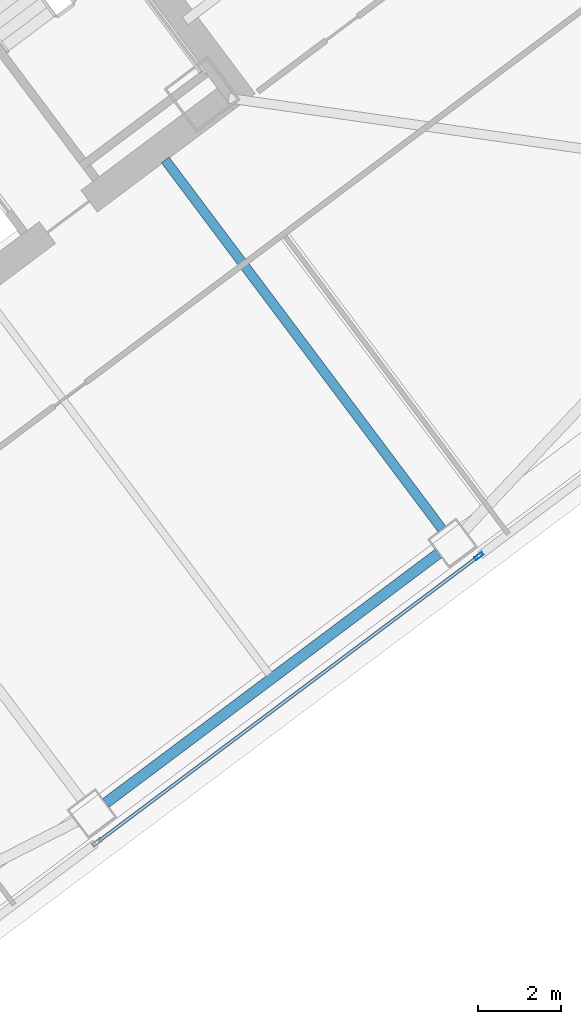
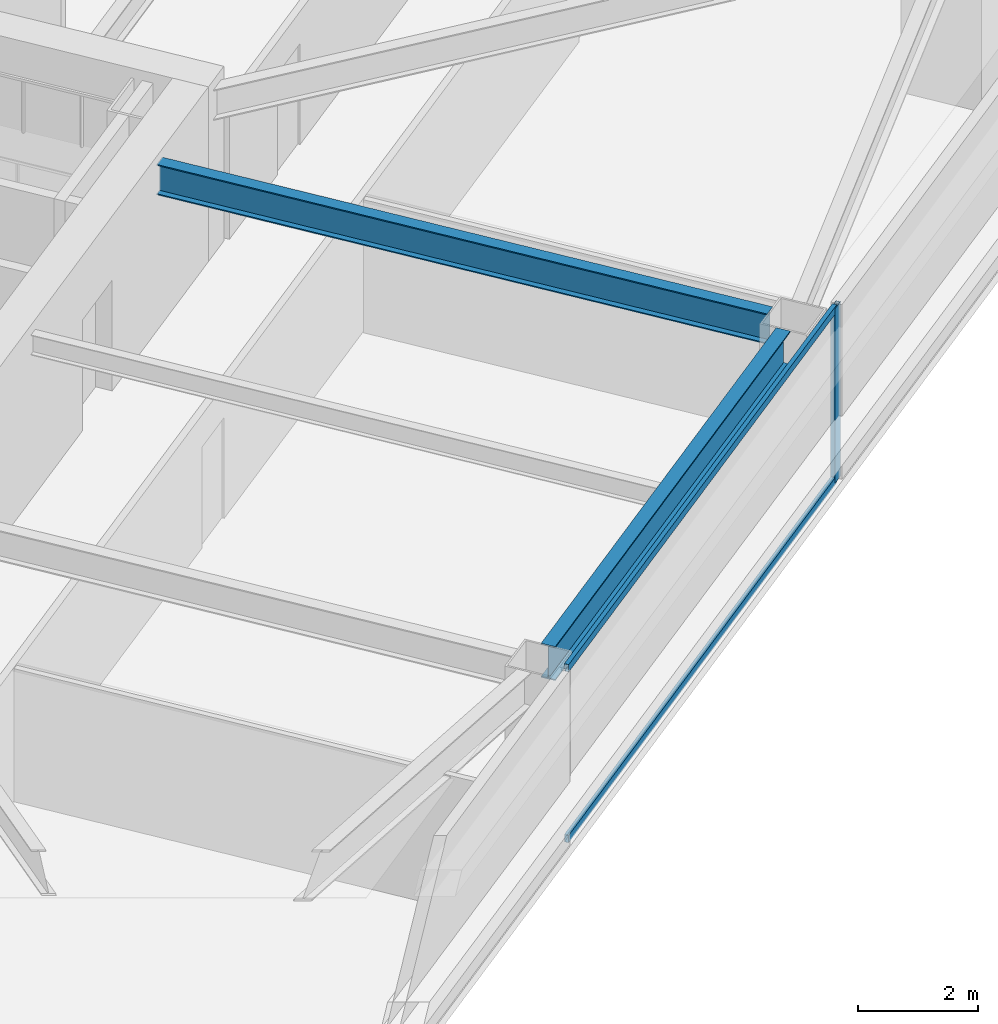
# One storey, part 22 of 44: 3 members, 2 beams, 1 element without a shape of its own.
"""IFC4 building model written with IfcOpenShell, lengths in metres."""

import ifcopenshell
import ifcopenshell.guid

model = None  # the IFC model being written
_history = None  # IfcOwnerHistory: only IFC2X3 demands one
_inside = {}  # id of a spatial element -> (the spatial element, [elements in it])
_under = {}  # id of a project, library or spatial element -> (it, [spatial elements below it])
_declared = {}  # id of a project -> (the project, [libraries it declares])
_typed = {}  # id of a type object -> (the type object, [elements of that type])
_made_of = {}  # id of a material, layer set ... -> (it, [elements and type objects made of it])


def new_model(schema):
    """Start an empty IFC model of exactly this schema.

    Asked for "IFC4X3", IfcOpenShell would pick the latest addendum, in which some entities
    have other attributes; the version numbers below select the first issue.
    IFC2X3 requires an IfcOwnerHistory on every rooted entity: one is made here for all.
    """
    global model, _history
    if schema == "IFC4X3":
        model = ifcopenshell.file(schema_version=(4, 3, 0, 0))
    else:
        model = ifcopenshell.file(schema=schema)
    _inside.clear()
    _under.clear()
    _declared.clear()
    _typed.clear()
    _made_of.clear()
    _history = None
    if model.schema == "IFC2X3":
        org = make("IfcOrganization", Name="unknown")
        user = make(
            "IfcPersonAndOrganization",
            ThePerson=make("IfcPerson", FamilyName="unknown"),
            TheOrganization=org,
        )
        app = make(
            "IfcApplication",
            ApplicationDeveloper=org,
            Version="unknown",
            ApplicationFullName="unknown",
            ApplicationIdentifier="unknown",
        )
        _history = make(
            "IfcOwnerHistory",
            OwningUser=user,
            OwningApplication=app,
            ChangeAction="ADDED",
            CreationDate=0,
        )
    return model


def make(cls, **values):
    """One entity of the class cls with the attributes given. An attribute that is None is left unset."""
    return model.create_entity(
        cls, **{name: value for name, value in values.items() if value is not None}
    )


def rooted(cls, **values):
    """An entity with a GlobalId (a new one), such as an element, a storey or a relation."""
    return make(cls, GlobalId=ifcopenshell.guid.new(), OwnerHistory=_history, **values)


def si_unit(unit_type, name, prefix=None):
    """IfcSIUnit, for example si_unit("LENGTHUNIT", "METRE", prefix="MILLI")."""
    return make("IfcSIUnit", UnitType=unit_type, Prefix=prefix, Name=name)


def assignment(units):
    """IfcUnitAssignment: the units of a project."""
    return None if units is None else make("IfcUnitAssignment", Units=units)


def point(xyz):
    """IfcCartesianPoint."""
    return None if xyz is None else make("IfcCartesianPoint", Coordinates=xyz)


def direction(xyz):
    """IfcDirection."""
    return None if xyz is None else make("IfcDirection", DirectionRatios=xyz)


def frame(location, z_axis=None, x_axis=None):
    """IfcAxis2Placement3D, a coordinate frame: its origin and axes. An axis left out is left unset."""
    return make(
        "IfcAxis2Placement3D",
        Location=point(location),
        Axis=direction(z_axis),
        RefDirection=direction(x_axis),
    )


def frame_2d(location, x_axis=None):
    """IfcAxis2Placement2D, a coordinate frame in the plane: its origin and x axis."""
    return make(
        "IfcAxis2Placement2D", Location=point(location), RefDirection=direction(x_axis)
    )


def origin():
    """The frame at (0, 0, 0) with its axes left unset."""
    return frame((0.0, 0.0, 0.0))


def origin_2d():
    """The frame at (0, 0) in the plane with its x axis left unset."""
    return frame_2d((0.0, 0.0))


def place(relative_to, where):
    """IfcLocalPlacement: puts the frame where relative to a parent placement (None: the world)."""
    return make(
        "IfcLocalPlacement", PlacementRelTo=relative_to, RelativePlacement=where
    )


def context(
    kind, dimensions, precision=None, world=None, true_north=None, identifier=None
):
    """IfcGeometricRepresentationContext, for example the 3D "Model" context."""
    return make(
        "IfcGeometricRepresentationContext",
        ContextIdentifier=identifier,
        ContextType=kind,
        CoordinateSpaceDimension=dimensions,
        Precision=precision,
        WorldCoordinateSystem=world,
        TrueNorth=true_north,
    )


def subcontext(parent, identifier, kind, view, scale=None):
    """IfcGeometricRepresentationSubContext, for example "Body" below "Model"."""
    return make(
        "IfcGeometricRepresentationSubContext",
        ContextIdentifier=identifier,
        ContextType=kind,
        ParentContext=parent,
        TargetScale=scale,
        TargetView=view,
    )


def project(units=None, contexts=None):
    """IfcProject with its units and contexts."""
    return rooted(
        "IfcProject",
        Name="project",
        RepresentationContexts=contexts,
        UnitsInContext=assignment(units),
    )


def spatial(cls, under=None, at=None, **own):
    """A site, building, storey or space (cls), placed at a placement, below another one or the project."""
    s = rooted(cls, ObjectPlacement=at, **own)
    if under is not None:
        _under.setdefault(under.id(), (under, []))[1].append(s)
    return s


def profile(cls, at=None, kind="AREA", **sizes):
    """A parametric profile (cls). Its sizes go by their IFC names, for example OverallWidth=200.0."""
    return make(cls, ProfileType=kind, Position=at, **sizes)


def hollow_rectangle(**sizes):
    """IfcRectangleHollowProfileDef."""
    return profile("IfcRectangleHollowProfileDef", **sizes)


def i_section(**sizes):
    """IfcIShapeProfileDef."""
    return profile("IfcIShapeProfileDef", **sizes)


def extrude(swept, where, along, depth):
    """IfcExtrudedAreaSolid: the profile swept, set in the frame where, extruded along a direction by depth."""
    return make(
        "IfcExtrudedAreaSolid",
        SweptArea=swept,
        Position=where,
        ExtrudedDirection=direction(along),
        Depth=depth,
    )


def shape(context_of_items, identifier, shape_type, items):
    """IfcShapeRepresentation: the items that make up one representation, for example the "Body"."""
    return make(
        "IfcShapeRepresentation",
        ContextOfItems=context_of_items,
        RepresentationIdentifier=identifier,
        RepresentationType=shape_type,
        Items=items,
    )


def material(Name=None, Category=None):
    """IfcMaterial."""
    return make("IfcMaterial", Name=Name, Category=Category)


def material_profile(
    of_material, cross_section, Name=None, Category=None, Priority=None
):
    """IfcMaterialProfile: a cross section and its material."""
    return make(
        "IfcMaterialProfile",
        Name=Name,
        Material=of_material,
        Profile=cross_section,
        Priority=Priority,
        Category=Category,
    )


def profile_set(profiles, Name=None, composite=None):
    """IfcMaterialProfileSet."""
    return make(
        "IfcMaterialProfileSet",
        Name=Name,
        MaterialProfiles=profiles,
        CompositeProfile=composite,
    )


def made_of(thing, what):
    """Note that an element or type object is made of a material, layer set ...; save() writes the relation."""
    if what is not None:
        _made_of.setdefault(what.id(), (what, []))[1].append(thing)
    return thing


def type_object(cls, material=None, **own):
    """A type object (cls), such as IfcWallType, which elements share."""
    return made_of(rooted(cls, **own), material)


def element(
    cls,
    number,
    at=None,
    inside=None,
    cuts=None,
    type_object=None,
    material=None,
    context=None,
    identifier="Body",
    shape_type=None,
    held_by="IfcProductDefinitionShape",
    body=None,
    shapes=None,
    **own,
):
    """One element of the class cls, such as IfcWall. Its Tag is "e" and its number.

    at: its placement. inside: the storey or other place that contains it. cuts: it is an
    opening in that element (IfcRelVoidsElement). A single representation is given by context,
    identifier, shape_type and body (its items); several are given by shapes. held_by: the class
    of the entity that holds the representations. save() writes the other relations.
    """
    e = rooted(cls, Tag="e%d" % number, ObjectPlacement=at, **own)
    if body is not None:
        shapes = [shape(context, identifier, shape_type, body)]
    if shapes is not None:
        e.Representation = make(held_by, Representations=shapes)
    if inside is not None:
        _inside.setdefault(inside.id(), (inside, []))[1].append(e)
    if cuts is not None:
        rooted(
            "IfcRelVoidsElement", RelatingBuildingElement=cuts, RelatedOpeningElement=e
        )
    if type_object is not None:
        _typed.setdefault(type_object.id(), (type_object, []))[1].append(e)
    return made_of(e, material)


def aggregate(whole, parts):
    """IfcRelAggregates: a whole, such as a stair, and the parts it consists of."""
    return rooted("IfcRelAggregates", RelatingObject=whole, RelatedObjects=parts)


def save(model, path):
    """Write the relations noted so far, then the file.

    IfcRelAggregates (storeys below a building ...), IfcRelContainedInSpatialStructure (elements
    in a storey), IfcRelDefinesByType, IfcRelAssociatesMaterial and IfcRelDeclares: one each for
    every whole, place, type object, material and project.
    """
    for whole, parts in _under.values():
        aggregate(whole, parts)
    for where, things in _inside.values():
        rooted(
            "IfcRelContainedInSpatialStructure",
            RelatedElements=things,
            RelatingStructure=where,
        )
    for kind, things in _typed.values():
        rooted("IfcRelDefinesByType", RelatedObjects=things, RelatingType=kind)
    for what, things in _made_of.values():
        rooted("IfcRelAssociatesMaterial", RelatedObjects=things, RelatingMaterial=what)
    for by, libraries in _declared.values():
        rooted("IfcRelDeclares", RelatingContext=by, RelatedDefinitions=libraries)
    model.write(path)


model = new_model("IFC4")

# Units and contexts
model_context = context("Model", 3, precision=1e-05, world=origin(), true_north=direction((0.0, 1.0)))
body_context = subcontext(model_context, "Body", "Model", "MODEL_VIEW")
ifc_project = project(units=[si_unit("LENGTHUNIT", "METRE"), si_unit("AREAUNIT", "SQUARE_METRE"), si_unit("VOLUMEUNIT", "CUBIC_METRE"), si_unit("PLANEANGLEUNIT", "RADIAN"), si_unit("MASSUNIT", "GRAM", prefix="KILO")], contexts=[model_context])

# Site, building, storey
site_placement = place(None, origin())
site = spatial("IfcSite", under=ifc_project, at=site_placement, CompositionType="ELEMENT")
building_placement = place(site_placement, origin())
building = spatial("IfcBuilding", under=site, at=building_placement, Name="Tashvorn Skyway Center", CompositionType="ELEMENT")
storey_placement = place(building_placement, frame((0.0, 0.0, 84.949951171875)))
storey = spatial("IfcBuildingStorey", under=building, at=storey_placement, Name="L22", CompositionType="ELEMENT", Elevation=84.949951171875)

# Beams
ifc_material_1 = material(Name="Steel ASTM A992 Grade 50", Category="steel")
ifc_material_profile_1 = material_profile(ifc_material_1, i_section(OverallWidth=0.22998046875, OverallDepth=0.616943359375, WebThickness=0.01318359375, FlangeThickness=0.022216796875, at=origin_2d()), Name="W24X94")
ifc_profile_set_1 = profile_set([ifc_material_profile_1], Name="Steel ASTM A992 Grade 50")
beam_type_1 = type_object("IfcBeamType", Name="BM-BEAM-W24X94", PredefinedType="BEAM", material=ifc_profile_set_1)
beam_1_placement = place(storey_placement, frame((129.617919921875, 20.176025390625, 3.04150390625), z_axis=(-0.599989394744, 0.800007953832, 0.0), x_axis=(-0.800007953832, -0.599989394744, 0.0)))
element("IfcBeam", 1, at=beam_1_placement, inside=storey, type_object=beam_type_1, Name="Tower 2 L22 Primary Floor Girder FC-S2", PredefinedType="BEAM", context=body_context, shape_type="SweptSolid", body=[
    extrude(i_section(OverallWidth=0.22998046875, OverallDepth=0.616943359375, WebThickness=0.01318359375, FlangeThickness=0.022216796875, at=origin_2d()), origin(), (0.0, 0.0, 1.0), 11.050048828125),
])
ifc_material_profile_2 = material_profile(ifc_material_1, i_section(OverallWidth=0.256103515625, OverallDepth=0.693115234375, WebThickness=0.014404296875, FlangeThickness=0.023681640625, at=origin_2d()), Name="W27X114")
ifc_profile_set_2 = profile_set([ifc_material_profile_2], Name="Steel ASTM A992 Grade 50")
beam_type_2 = type_object("IfcBeamType", Name="BM-SPANDREL-W27X114", PredefinedType="SPANDREL", material=ifc_profile_set_2)
beam_2_placement = place(storey_placement, frame((121.56591796875, 13.612060546875, 3.003662109375), z_axis=(0.800008824351, 0.599988234018, 0.0), x_axis=(-0.599988234018, 0.800008824351, 0.0)))
element("IfcBeam", 2, at=beam_2_placement, inside=storey, type_object=beam_type_2, Name="Tower 2 L22 Spandrel Beam 02", PredefinedType="SPANDREL", context=body_context, shape_type="SweptSolid", body=[
    extrude(i_section(OverallWidth=0.256103515625, OverallDepth=0.693115234375, WebThickness=0.014404296875, FlangeThickness=0.023681640625, at=origin_2d()), origin(), (0.0, 0.0, 1.0), 9.9599609375),
])

# Curtain wall, members
ifc_material_2 = material(Name="Thermally broken bronze-anodized aluminium 6063-T6", Category="aluminium")
curtain_wall_type = type_object("IfcCurtainWallType", Name="CW-CW-Z2", PredefinedType="NOTDEFINED", material=ifc_material_2)
curtain_wall_placement = place(storey_placement, origin())
curtain_wall = element("IfcCurtainWall", 3, at=curtain_wall_placement, inside=storey, type_object=curtain_wall_type, Name="Tower 2 L22 South Unitised Curtain Wall Glazing Group 2", PredefinedType="NOTDEFINED")
ifc_material_profile_3 = material_profile(ifc_material_2, hollow_rectangle(XDim=0.080078125, YDim=0.219970703125, WallThickness=0.0048828125, at=origin_2d()), Name="ALU-MULL-80x220")
ifc_profile_set_3 = profile_set([ifc_material_profile_3], Name="Thermally broken bronze-anodized aluminium 6063-T6")
member_type_1 = type_object("IfcMemberType", Name="CWM-CW-Z2", PredefinedType="MULLION", material=ifc_profile_set_3)
member_1_placement = place(storey_placement, frame((130.50390625, 19.528076171875, 0.0), z_axis=(0.0, 0.0, 1.0), x_axis=(0.600000000002, -0.799999999998, 0.0)))
member_1 = element("IfcMember", 4, at=member_1_placement, type_object=member_type_1, Name="CW-Z2 mullion 1", PredefinedType="MULLION", context=body_context, shape_type="SweptSolid", body=[
    extrude(hollow_rectangle(XDim=0.080078125, YDim=0.219970703125, WallThickness=0.0048828125, at=origin_2d()), origin(), (0.0, 0.0, 1.0), 3.550048828125),
])
ifc_material_profile_4 = material_profile(ifc_material_2, hollow_rectangle(XDim=0.080078125, YDim=0.14990234375, WallThickness=0.00439453125, at=origin_2d()), Name="ALU-TRAN-80x150")
ifc_profile_set_4 = profile_set([ifc_material_profile_4], Name="Thermally broken bronze-anodized aluminium 6063-T6")
member_type_2 = type_object("IfcMemberType", Name="CWT-CW-Z2", PredefinedType="USERDEFINED", material=ifc_profile_set_4)
member_2_placement = place(storey_placement, frame((130.471923828125, 19.50390625, 0.0400390625), z_axis=(-0.8, -0.6, 0.0), x_axis=(0.6, -0.8, 0.0)))
member_2 = element("IfcMember", 5, at=member_2_placement, type_object=member_type_2, Name="CW-Z2 transom 1.1", ObjectType="TRANSOM", PredefinedType="USERDEFINED", context=body_context, shape_type="SweptSolid", body=[
    extrude(hollow_rectangle(XDim=0.080078125, YDim=0.14990234375, WallThickness=0.00439453125, at=origin_2d()), origin(), (0.0, 0.0, 1.0), 11.35986328125),
])
member_3_placement = place(storey_placement, frame((130.471923828125, 19.50390625, 3.510009765625), z_axis=(-0.8, -0.6, 0.0), x_axis=(0.6, -0.8, 0.0)))
member_3 = element("IfcMember", 6, at=member_3_placement, type_object=member_type_2, Name="CW-Z2 transom 1.2", ObjectType="TRANSOM", PredefinedType="USERDEFINED", context=body_context, shape_type="SweptSolid", body=[
    extrude(hollow_rectangle(XDim=0.080078125, YDim=0.14990234375, WallThickness=0.00439453125, at=origin_2d()), origin(), (0.0, 0.0, 1.0), 11.35986328125),
])
aggregate(curtain_wall, [member_1, member_2, member_3])

save(model, "model.ifc")
